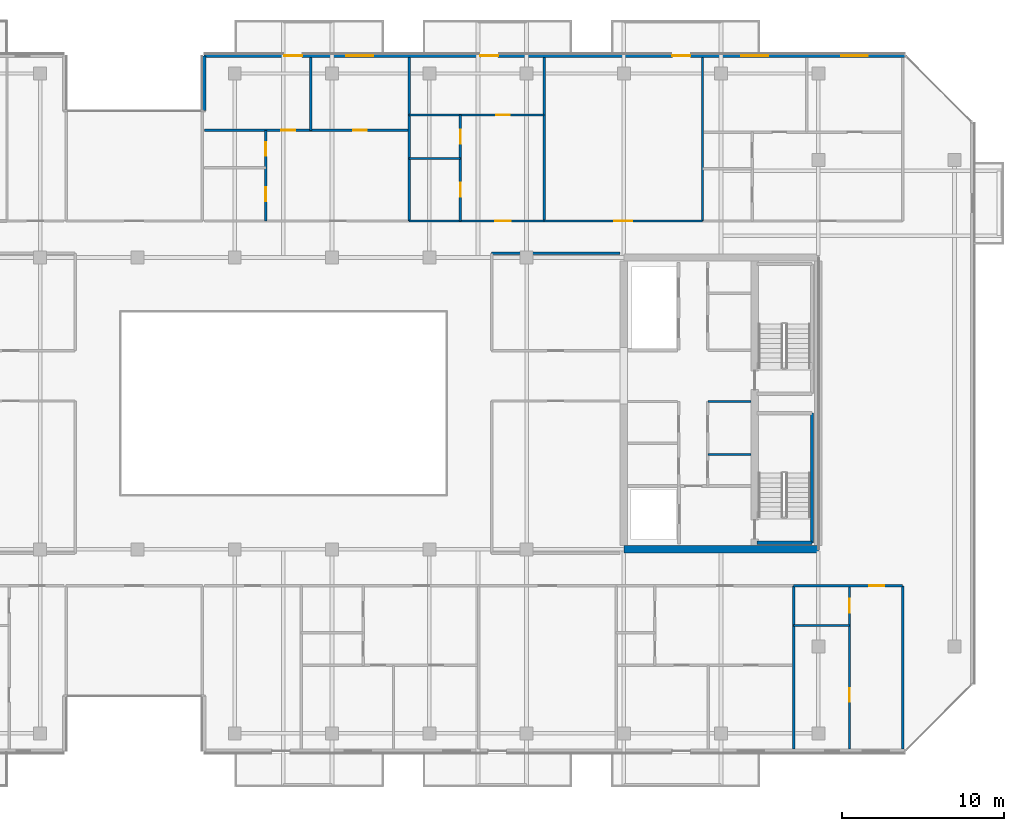
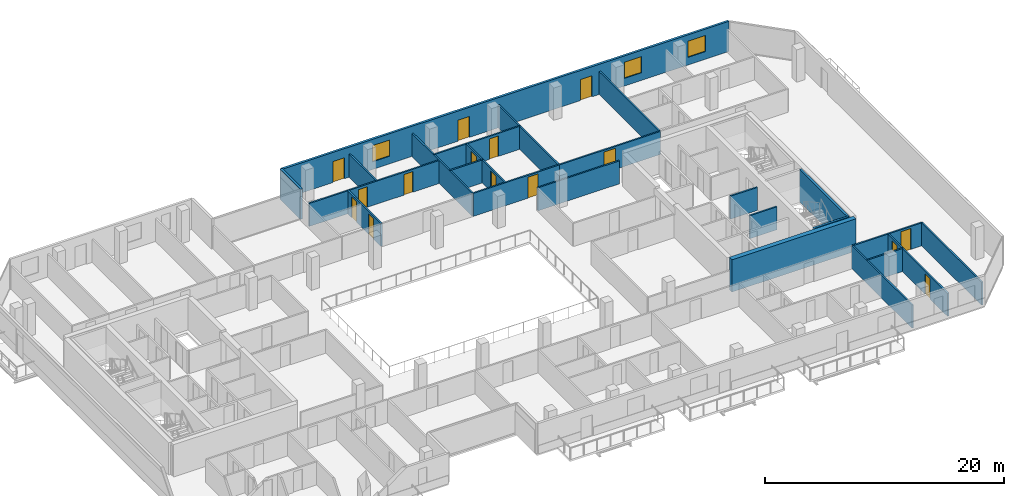
# One storey, part 22 of 28: 24 walls, 15 doors, 3 windows, 18 openings.
"""IFC4 building model written with IfcOpenShell, lengths in metres."""

from ifc_helpers import new_model, si_unit, direction, frame, frame_2d, origin, place, context, subcontext, project, spatial, rectangle, extrude, material, layer, layer_set, type_object, element, fill, save


model = new_model("IFC4")

# Units and contexts
model_context = context("Model", 3, precision=1e-05, world=origin(), true_north=direction((0.0, 1.0)))
body_context = subcontext(model_context, "Body", "Model", "MODEL_VIEW")
ifc_project = project(units=[si_unit("LENGTHUNIT", "METRE"), si_unit("AREAUNIT", "SQUARE_METRE"), si_unit("VOLUMEUNIT", "CUBIC_METRE"), si_unit("PLANEANGLEUNIT", "RADIAN"), si_unit("MASSUNIT", "GRAM", prefix="KILO")], contexts=[model_context])

# Site, building, storey
site_placement = place(None, origin())
site = spatial("IfcSite", under=ifc_project, at=site_placement, CompositionType="ELEMENT")
building_placement = place(site_placement, origin())
building = spatial("IfcBuilding", under=site, at=building_placement, Name="Tanjung Sevakor Pilgrim Tower", CompositionType="ELEMENT")
storey_placement = place(building_placement, frame((0.0, 0.0, 185.1298828125)))
storey = spatial("IfcBuildingStorey", under=building, at=storey_placement, Name="L51", CompositionType="ELEMENT", Elevation=185.1298828125)

# Walls
ifc_material_1 = material(Name="Concrete C60/75", Category="concrete")
ifc_layer_1 = layer(ifc_material_1, 0.449951171875)
ifc_layer_set_1 = layer_set([ifc_layer_1], Name="WALL-CW-450")
wall_type_1 = type_object("IfcWallType", Name="WALL-CW-450", PredefinedType="SHEAR", material=ifc_layer_set_1)
wall_1_placement = place(storey_placement, frame((78.0, 24.60009765625, 0.0), z_axis=(0.0, 0.0, 1.0), x_axis=(1.0, 0.0, 0.0)))
element("IfcWall", 1, at=wall_1_placement, inside=storey, type_object=wall_type_1, Name="L51 E Core South Shear Wall", PredefinedType="SHEAR", context=body_context, shape_type="SweptSolid", body=[
    extrude(rectangle(XDim=12.0, YDim=0.449951171875, at=frame_2d((6.0, 0.0))), origin(), (0.0, 0.0, 1.0), 3.300048828125),
])
ifc_material_2 = material(Name="Concrete C40/50", Category="concrete")
ifc_layer_2 = layer(ifc_material_2, 0.14990234375)
ifc_layer_set_2 = layer_set([ifc_layer_2], Name="WT-COMP-150")
wall_type_2 = type_object("IfcWallType", Name="WT-COMP-150", PredefinedType="SOLIDWALL", material=ifc_layer_set_2)
for number, where, z_axis, x_axis, name in (
    (2, (83.199951171875, 30.449951171875, 0.0), (0.0, 0.0, 1.0), (1.0, 0.0, 0.0), "L51 Partition IW-L51-016"),
    (3, (83.199951171875, 33.719970703125, 0.0), (0.0, 0.0, 1.0), (1.0, 0.0, 0.0), "L51 Partition IW-L51-017"),
):
    element("IfcWall", number, at=place(storey_placement, frame(where, z_axis=z_axis, x_axis=x_axis)), inside=storey, type_object=wall_type_2, Name=name, PredefinedType="SOLIDWALL", context=body_context, shape_type="SweptSolid", body=[
        extrude(rectangle(XDim=2.630126953125, YDim=0.14990234375, at=frame_2d((1.31494140625, 0.0))), origin(), (0.0, 0.0, 1.0), 2.35009765625),
    ])
wall_2_placement = place(storey_placement, frame((69.85009765625, 42.85009765625, 0.0), z_axis=(0.0, 0.0, 1.0), x_axis=(1.0, 0.0, 0.0)))
element("IfcWall", 4, at=wall_2_placement, inside=storey, type_object=wall_type_2, Name="L51 Partition IW-L51-037", PredefinedType="SOLIDWALL", context=body_context, shape_type="SweptSolid", body=[
    extrude(rectangle(XDim=7.90478515625, YDim=0.14990234375, at=frame_2d((3.952392578125, 0.0))), origin(), (0.0, 0.0, 1.0), 2.35009765625),
])
for number, where, z_axis, x_axis, name in (
    (5, (95.199951171875, 12.27001953125, 0.0), (0.0, 0.0, 1.0), (0.0, 1.0, 0.0), "L51 Partition IW-L51-057"),
    (6, (88.4765625, 12.27001953125, 0.0), (0.0, 0.0, 1.0), (0.0, 1.0, 0.0), "L51 Partition IW-L51-068"),
):
    element("IfcWall", number, at=place(storey_placement, frame(where, z_axis=z_axis, x_axis=x_axis)), inside=storey, type_object=wall_type_2, Name=name, PredefinedType="SOLIDWALL", context=body_context, shape_type="SweptSolid", body=[
        extrude(rectangle(XDim=10.080078125, YDim=0.14990234375, at=frame_2d((5.0400390625, 0.0))), origin(), (0.0, 0.0, 1.0), 2.35009765625),
    ])

# Wall, opening, door
wall_3_placement = place(storey_placement, frame((88.4765625, 22.35009765625, 0.0), z_axis=(0.0, 0.0, 1.0), x_axis=(1.0, 0.0, 0.0)))
wall_3 = element("IfcWall", 7, at=wall_3_placement, inside=storey, type_object=wall_type_2, Name="L51 Partition IW-L51-076", PredefinedType="SOLIDWALL", context=body_context, shape_type="SweptSolid", body=[
    extrude(rectangle(XDim=6.723388671875, YDim=0.14990234375, at=frame_2d((3.36181640625, 0.0))), origin(), (0.0, 0.0, 1.0), 2.35009765625),
])
opening_1_placement = place(wall_3_placement, frame((4.6484375, 0.0, 0.0)))
opening_1 = element("IfcOpeningElement", 8, at=opening_1_placement, cuts=wall_3, Name="Opening ID-FD2", PredefinedType="OPENING", context=body_context, shape_type="SweptSolid", body=[
    extrude(rectangle(XDim=0.949951171875, YDim=2.14990234375, at=frame_2d((0.47509765625, 1.074951171875))), frame((0.0, 0.0849609375, 0.0), z_axis=(0.0, -1.0, 0.0), x_axis=(1.0, 0.0, 0.0)), (0.0, 0.0, 1.0), 0.169921875),
])
ifc_material_3 = material(Name="Fire-Rated Timber", Category="wood")
door_type_1 = type_object("IfcDoorType", Name="DT-FIRE-950", OperationType="NOTDEFINED", PredefinedType="DOOR", material=ifc_material_3)
door_1_placement = place(opening_1_placement, origin())
door_1 = element("IfcDoor", 9, at=door_1_placement, inside=storey, type_object=door_type_1, Name="Hostel Quad Entrance", OperationType="SINGLE_SWING_LEFT", OverallHeight=2.14990234375, OverallWidth=0.949951171875, PredefinedType="DOOR", context=body_context, shape_type="SweptSolid", body=[
    extrude(rectangle(XDim=0.949951171875, YDim=2.14990234375, at=frame_2d((0.47509765625, 1.074951171875))), frame((0.0, 0.02490234375, 0.0), z_axis=(0.0, -1.0, 0.0), x_axis=(1.0, 0.0, 0.0)), (0.0, 0.0, 1.0), 0.050048828125),
])
fill(opening_1, door_1)

# Walls
for number, where, z_axis, x_axis, name in (
    (10, (64.7568359375, 44.85009765625, 0.0), (0.0, 0.0, 1.0), (0.0, 1.0, 0.0), "L51 Partition IW-L51-086"),
    (11, (73.085693359375, 44.85009765625, 0.0), (0.0, 0.0, 1.0), (0.0, 1.0, 0.0), "L51 Partition IW-L51-092"),
):
    element("IfcWall", number, at=place(storey_placement, frame(where, z_axis=z_axis, x_axis=x_axis)), inside=storey, type_object=wall_type_2, Name=name, PredefinedType="SOLIDWALL", context=body_context, shape_type="SweptSolid", body=[
        extrude(rectangle(XDim=10.079833984375, YDim=0.14990234375, at=frame_2d((5.0400390625, 0.0))), origin(), (0.0, 0.0, 1.0), 2.35009765625),
    ])

# Wall, opening, door
wall_4_placement = place(storey_placement, frame((64.7568359375, 44.85009765625, 0.0), z_axis=(0.0, 0.0, 1.0), x_axis=(1.0, 0.0, 0.0)))
wall_4 = element("IfcWall", 12, at=wall_4_placement, inside=storey, type_object=wall_type_2, Name="L51 Partition IW-L51-096", PredefinedType="SOLIDWALL", context=body_context, shape_type="SweptSolid", body=[
    extrude(rectangle(XDim=8.328857421875, YDim=0.14990234375, at=frame_2d((4.16455078125, 0.0))), origin(), (0.0, 0.0, 1.0), 2.35009765625),
])
opening_2_placement = place(wall_4_placement, frame((5.31103515625, 0.0, 0.0)))
opening_2 = element("IfcOpeningElement", 13, at=opening_2_placement, cuts=wall_4, Name="Opening ID-FD2", PredefinedType="OPENING", context=body_context, shape_type="SweptSolid", body=[
    extrude(rectangle(XDim=0.949951171875, YDim=2.14990234375, at=frame_2d((0.47509765625, 1.074951171875))), frame((0.0, 0.0849609375, 0.0), z_axis=(0.0, -1.0, 0.0), x_axis=(1.0, 0.0, 0.0)), (0.0, 0.0, 1.0), 0.169921875),
])
door_2_placement = place(opening_2_placement, origin())
door_2 = element("IfcDoor", 14, at=door_2_placement, inside=storey, type_object=door_type_1, Name="Residence Entrance", OperationType="SINGLE_SWING_RIGHT", OverallHeight=2.14990234375, OverallWidth=0.949951171875, PredefinedType="DOOR", context=body_context, shape_type="SweptSolid", body=[
    extrude(rectangle(XDim=0.949951171875, YDim=2.14990234375, at=frame_2d((0.47509765625, 1.074951171875))), frame((0.0, 0.02490234375, 0.0), z_axis=(0.0, -1.0, 0.0), x_axis=(1.0, 0.0, 0.0)), (0.0, 0.0, 1.0), 0.050048828125),
])
fill(opening_2, door_2)

# Wall
wall_5_placement = place(storey_placement, frame((82.850341796875, 44.85009765625, 0.0), z_axis=(0.0, 0.0, 1.0), x_axis=(0.0, 1.0, 0.0)))
element("IfcWall", 15, at=wall_5_placement, inside=storey, type_object=wall_type_2, Name="L51 Partition IW-L51-097", PredefinedType="SOLIDWALL", context=body_context, shape_type="SweptSolid", body=[
    extrude(rectangle(XDim=10.079833984375, YDim=0.14990234375, at=frame_2d((5.0400390625, 0.0))), origin(), (0.0, 0.0, 1.0), 2.35009765625),
])

# Wall, opening, door
wall_6_placement = place(storey_placement, frame((73.085693359375, 44.85009765625, 0.0), z_axis=(0.0, 0.0, 1.0), x_axis=(1.0, 0.0, 0.0)))
wall_6 = element("IfcWall", 16, at=wall_6_placement, inside=storey, type_object=wall_type_2, Name="L51 Partition IW-L51-098", PredefinedType="SOLIDWALL", context=body_context, shape_type="SweptSolid", body=[
    extrude(rectangle(XDim=9.7646484375, YDim=0.14990234375, at=frame_2d((4.88232421875, 0.0))), origin(), (0.0, 0.0, 1.0), 2.35009765625),
])
opening_3_placement = place(wall_6_placement, frame((4.33251953125, 0.0, 0.0)))
opening_3 = element("IfcOpeningElement", 17, at=opening_3_placement, cuts=wall_6, Name="Opening ID-FD0", PredefinedType="OPENING", context=body_context, shape_type="SweptSolid", body=[
    extrude(rectangle(XDim=1.10009765625, YDim=2.14990234375, at=frame_2d((0.550048828125, 1.074951171875))), frame((0.0, 0.0849609375, 0.0), z_axis=(0.0, -1.0, 0.0), x_axis=(1.0, 0.0, 0.0)), (0.0, 0.0, 1.0), 0.169921875),
])
ifc_material_4 = material(Name="Fire-Rated Steel S355J2", Category="steel")
door_type_2 = type_object("IfcDoorType", Name="DT-FIRE-1100", OperationType="NOTDEFINED", PredefinedType="DOOR", material=ifc_material_4)
door_3_placement = place(opening_3_placement, origin())
door_3 = element("IfcDoor", 18, at=door_3_placement, inside=storey, type_object=door_type_2, Name="Council Room Door", OperationType="SINGLE_SWING_LEFT", OverallHeight=2.14990234375, OverallWidth=1.10009765625, PredefinedType="DOOR", context=body_context, shape_type="SweptSolid", body=[
    extrude(rectangle(XDim=1.10009765625, YDim=2.14990234375, at=frame_2d((0.550048828125, 1.074951171875))), frame((0.0, 0.02490234375, 0.0), z_axis=(0.0, -1.0, 0.0), x_axis=(1.0, 0.0, 0.0)), (0.0, 0.0, 1.0), 0.050048828125),
])
fill(opening_3, door_3)

# Wall, openings, doors, windows
ifc_material_5 = material(Name="Precast concrete C45/55", Category="concrete")
ifc_layer_3 = layer(ifc_material_5, 0.219970703125)
ifc_layer_set_3 = layer_set([ifc_layer_3], Name="WT-EW-STN4")
wall_type_3 = type_object("IfcWallType", Name="WT-EW-STN4", PredefinedType="SOLIDWALL", material=ifc_layer_set_3)
wall_7_placement = place(storey_placement, frame((95.3544921875, 55.0400390625, 0.0), z_axis=(0.0, 0.0, 1.0), x_axis=(-1.0, 0.0, 0.0)))
wall_7 = element("IfcWall", 19, at=wall_7_placement, inside=storey, type_object=wall_type_3, Name="L51 MAIN Exterior Wall 9", PredefinedType="SOLIDWALL", context=body_context, shape_type="SweptSolid", body=[
    extrude(rectangle(XDim=43.244384765625, YDim=0.219970703125, at=frame_2d((21.6220703125, 0.0))), origin(), (0.0, 0.0, 1.0), 3.080078125),
])
opening_4_placement = place(wall_7_placement, frame((37.204345703125, 0.0, 0.0)))
opening_4 = element("IfcOpeningElement", 20, at=opening_4_placement, cuts=wall_7, Name="Opening ED-BAL-1100", PredefinedType="OPENING", context=body_context, shape_type="SweptSolid", body=[
    extrude(rectangle(XDim=1.10009765625, YDim=2.14990234375, at=frame_2d((0.550048828125, 1.074951171875))), frame((0.0, 0.119873046875, 0.0), z_axis=(0.0, -1.0, 0.0), x_axis=(1.0, 0.0, 0.0)), (0.0, 0.0, 1.0), 0.239990234375),
])
opening_5_placement = place(wall_7_placement, frame((25.1044921875, 0.0, 0.0)))
opening_5 = element("IfcOpeningElement", 21, at=opening_5_placement, cuts=wall_7, Name="Opening ED-BAL-1100", PredefinedType="OPENING", context=body_context, shape_type="SweptSolid", body=[
    extrude(rectangle(XDim=1.10009765625, YDim=2.14990234375, at=frame_2d((0.550048828125, 1.074951171875))), frame((0.0, 0.119873046875, 0.0), z_axis=(0.0, -1.0, 0.0), x_axis=(1.0, 0.0, 0.0)), (0.0, 0.0, 1.0), 0.239990234375),
])
opening_6_placement = place(wall_7_placement, frame((13.25439453125, 0.0, 0.0)))
opening_6 = element("IfcOpeningElement", 22, at=opening_6_placement, cuts=wall_7, Name="Opening ED-BAL-1100", PredefinedType="OPENING", context=body_context, shape_type="SweptSolid", body=[
    extrude(rectangle(XDim=1.10009765625, YDim=2.14990234375, at=frame_2d((0.550048828125, 1.074951171875))), frame((0.0, 0.119873046875, 0.0), z_axis=(0.0, -1.0, 0.0), x_axis=(1.0, 0.0, 0.0)), (0.0, 0.0, 1.0), 0.239990234375),
])
opening_7_placement = place(wall_7_placement, frame((32.8154296875, 0.0, 0.780029296875)))
opening_7 = element("IfcOpeningElement", 23, at=opening_7_placement, cuts=wall_7, Name="Opening WN-Z4-1660", PredefinedType="OPENING", context=body_context, shape_type="SweptSolid", body=[
    extrude(rectangle(XDim=1.64990234375, YDim=1.659912109375, at=frame_2d((0.824951171875, 0.830078125))), frame((0.0, 0.119873046875, 0.0), z_axis=(0.0, -1.0, 0.0), x_axis=(1.0, 0.0, 0.0)), (0.0, 0.0, 1.0), 0.239990234375),
])
opening_8_placement = place(wall_7_placement, frame((8.4580078125, 0.0, 0.780029296875)))
opening_8 = element("IfcOpeningElement", 24, at=opening_8_placement, cuts=wall_7, Name="Opening WN-Z4-1660", PredefinedType="OPENING", context=body_context, shape_type="SweptSolid", body=[
    extrude(rectangle(XDim=1.64990234375, YDim=1.659912109375, at=frame_2d((0.824951171875, 0.830078125))), frame((0.0, 0.119873046875, 0.0), z_axis=(0.0, -1.0, 0.0), x_axis=(1.0, 0.0, 0.0)), (0.0, 0.0, 1.0), 0.239990234375),
])
opening_9_placement = place(wall_7_placement, frame((2.30322265625, 0.0, 0.780029296875)))
opening_9 = element("IfcOpeningElement", 25, at=opening_9_placement, cuts=wall_7, Name="Opening WN-Z4-1660", PredefinedType="OPENING", context=body_context, shape_type="SweptSolid", body=[
    extrude(rectangle(XDim=1.64990234375, YDim=1.659912109375, at=frame_2d((0.824951171875, 0.830078125))), frame((0.0, 0.119873046875, 0.0), z_axis=(0.0, -1.0, 0.0), x_axis=(1.0, 0.0, 0.0)), (0.0, 0.0, 1.0), 0.239990234375),
])
ifc_material_6 = material(Name="Anodised Aluminium and Laminated Glass", Category="aluminium")
door_type_3 = type_object("IfcDoorType", Name="DTYP-ED-BAL-1100", OperationType="NOTDEFINED", PredefinedType="DOOR", material=ifc_material_6)
door_4_placement = place(opening_4_placement, frame((1.10009765625, 0.0, 0.0), z_axis=(0.0, 0.0, 1.0), x_axis=(-1.0, 0.0, 0.0)))
door_4 = element("IfcDoor", 26, at=door_4_placement, inside=storey, type_object=door_type_3, Name="L51 Balcony Door MAIN-N2", OperationType="SINGLE_SWING_RIGHT", OverallHeight=2.14990234375, OverallWidth=1.10009765625, PredefinedType="DOOR", context=body_context, shape_type="SweptSolid", body=[
    extrude(rectangle(XDim=1.10009765625, YDim=2.14990234375, at=frame_2d((0.550048828125, 1.074951171875))), frame((0.0, 0.02490234375, 0.0), z_axis=(0.0, -1.0, 0.0), x_axis=(1.0, 0.0, 0.0)), (0.0, 0.0, 1.0), 0.050048828125),
])
fill(opening_4, door_4)
door_5_placement = place(opening_5_placement, frame((1.10009765625, 0.0, 0.0), z_axis=(0.0, 0.0, 1.0), x_axis=(-1.0, 0.0, 0.0)))
door_5 = element("IfcDoor", 27, at=door_5_placement, inside=storey, type_object=door_type_3, Name="L51 Balcony Door MAIN-N3", OperationType="SINGLE_SWING_LEFT", OverallHeight=2.14990234375, OverallWidth=1.10009765625, PredefinedType="DOOR", context=body_context, shape_type="SweptSolid", body=[
    extrude(rectangle(XDim=1.10009765625, YDim=2.14990234375, at=frame_2d((0.550048828125, 1.074951171875))), frame((0.0, 0.02490234375, 0.0), z_axis=(0.0, -1.0, 0.0), x_axis=(1.0, 0.0, 0.0)), (0.0, 0.0, 1.0), 0.050048828125),
])
fill(opening_5, door_5)
door_6_placement = place(opening_6_placement, frame((1.10009765625, 0.0, 0.0), z_axis=(0.0, 0.0, 1.0), x_axis=(-1.0, 0.0, 0.0)))
door_6 = element("IfcDoor", 28, at=door_6_placement, inside=storey, type_object=door_type_3, Name="L51 Balcony Door MAIN-N4", OperationType="SINGLE_SWING_RIGHT", OverallHeight=2.14990234375, OverallWidth=1.10009765625, PredefinedType="DOOR", context=body_context, shape_type="SweptSolid", body=[
    extrude(rectangle(XDim=1.10009765625, YDim=2.14990234375, at=frame_2d((0.550048828125, 1.074951171875))), frame((0.0, 0.02490234375, 0.0), z_axis=(0.0, -1.0, 0.0), x_axis=(1.0, 0.0, 0.0)), (0.0, 0.0, 1.0), 0.050048828125),
])
fill(opening_6, door_6)
ifc_material_7 = material(Name="Thermally Broken Aluminium and Low-E Glass", Category="aluminium")
window_type = type_object("IfcWindowType", Name="WTYP-WN-Z4-1660", PartitioningType="DOUBLE_PANEL_VERTICAL", PredefinedType="WINDOW", material=ifc_material_7)
window_1_placement = place(opening_7_placement, origin())
window_1 = element("IfcWindow", 29, at=window_1_placement, inside=storey, type_object=window_type, Name="L51 Facade Window 01", OverallHeight=1.659912109375, OverallWidth=1.64990234375, PartitioningType="SINGLE_PANEL", PredefinedType="WINDOW", context=body_context, shape_type="SweptSolid", body=[
    extrude(rectangle(XDim=1.64990234375, YDim=1.659912109375, at=frame_2d((0.824951171875, 0.830078125))), frame((0.0, 0.030029296875, 0.0), z_axis=(0.0, -1.0, 0.0), x_axis=(1.0, 0.0, 0.0)), (0.0, 0.0, 1.0), 0.06005859375),
])
fill(opening_7, window_1)
window_2_placement = place(opening_8_placement, origin())
window_2 = element("IfcWindow", 30, at=window_2_placement, inside=storey, type_object=window_type, Name="L51 Facade Window 02", OverallHeight=1.659912109375, OverallWidth=1.64990234375, PartitioningType="SINGLE_PANEL", PredefinedType="WINDOW", context=body_context, shape_type="SweptSolid", body=[
    extrude(rectangle(XDim=1.64990234375, YDim=1.659912109375, at=frame_2d((0.824951171875, 0.830078125))), frame((0.0, 0.030029296875, 0.0), z_axis=(0.0, -1.0, 0.0), x_axis=(1.0, 0.0, 0.0)), (0.0, 0.0, 1.0), 0.06005859375),
])
fill(opening_8, window_2)
window_3_placement = place(opening_9_placement, origin())
window_3 = element("IfcWindow", 31, at=window_3_placement, inside=storey, type_object=window_type, Name="L51 Facade Window 03", OverallHeight=1.659912109375, OverallWidth=1.64990234375, PartitioningType="SINGLE_PANEL", PredefinedType="WINDOW", context=body_context, shape_type="SweptSolid", body=[
    extrude(rectangle(XDim=1.64990234375, YDim=1.659912109375, at=frame_2d((0.824951171875, 0.830078125))), frame((0.0, 0.030029296875, 0.0), z_axis=(0.0, -1.0, 0.0), x_axis=(1.0, 0.0, 0.0)), (0.0, 0.0, 1.0), 0.06005859375),
])
fill(opening_9, window_3)

# Walls
wall_8_placement = place(storey_placement, frame((52.110107421875, 55.0400390625, 0.0), z_axis=(0.0, 0.0, 1.0), x_axis=(0.0, -1.0, 0.0)))
element("IfcWall", 32, at=wall_8_placement, inside=storey, type_object=wall_type_3, Name="L51 MAIN Exterior Wall 10", PredefinedType="SOLIDWALL", context=body_context, shape_type="SweptSolid", body=[
    extrude(rectangle(XDim=3.400146484375, YDim=0.219970703125, at=frame_2d((1.7001953125, 0.0))), origin(), (0.0, 0.0, 1.0), 3.080078125),
])
ifc_material_8 = material(Name="Concrete C40/50", Category="concrete")
ifc_layer_4 = layer(ifc_material_8, 0.199951171875)
ifc_layer_set_4 = layer_set([ifc_layer_4], Name="WT-FIRE-200")
wall_type_4 = type_object("IfcWallType", Name="WT-FIRE-200", PredefinedType="SOLIDWALL", material=ifc_layer_set_4)
wall_9_placement = place(storey_placement, frame((86.199951171875, 25.0, 0.0), z_axis=(0.0, 0.0, 1.0), x_axis=(1.0, 0.0, 0.0)))
element("IfcWall", 33, at=wall_9_placement, inside=storey, type_object=wall_type_4, Name="L51 TS-E1 Shaft Wall 1", PredefinedType="SOLIDWALL", context=body_context, shape_type="SweptSolid", body=[
    extrude(rectangle(XDim=3.400146484375, YDim=0.199951171875, at=frame_2d((1.7001953125, 0.0))), origin(), (0.0, 0.0, 1.0), 3.300048828125),
])
wall_10_placement = place(storey_placement, frame((89.60009765625, 25.0, 0.0), z_axis=(0.0, 0.0, 1.0), x_axis=(0.0, 1.0, 0.0)))
element("IfcWall", 34, at=wall_10_placement, inside=storey, type_object=wall_type_4, Name="L51 TS-E1 Shaft Wall 2", PredefinedType="SOLIDWALL", context=body_context, shape_type="SweptSolid", body=[
    extrude(rectangle(XDim=8.0, YDim=0.199951171875, at=frame_2d((4.0, 0.0))), origin(), (0.0, 0.0, 1.0), 3.300048828125),
])
ifc_material_9 = material(Name="Gypsum Board Partition", Category="gypsum board")
ifc_layer_5 = layer(ifc_material_9, 0.14990234375)
ifc_layer_set_5 = layer_set([ifc_layer_5], Name="WT-PART-150")
wall_type_5 = type_object("IfcWallType", Name="WT-PART-150", PredefinedType="PARTITIONING", material=ifc_layer_set_5)
wall_11_placement = place(storey_placement, frame((88.4765625, 19.89990234375, 0.0), z_axis=(0.0, 0.0, 1.0), x_axis=(1.0, 0.0, 0.0)))
element("IfcWall", 35, at=wall_11_placement, inside=storey, type_object=wall_type_5, Name="L51 Partition IW-L51-074", PredefinedType="PARTITIONING", context=body_context, shape_type="SweptSolid", body=[
    extrude(rectangle(XDim=3.443359375, YDim=0.14990234375, at=frame_2d((1.7216796875, 0.0))), origin(), (0.0, 0.0, 1.0), 2.35009765625),
])

# Wall, openings, doors
wall_12_placement = place(storey_placement, frame((91.919921875, 12.27001953125, 0.0), z_axis=(0.0, 0.0, 1.0), x_axis=(0.0, 1.0, 0.0)))
wall_12 = element("IfcWall", 36, at=wall_12_placement, inside=storey, type_object=wall_type_5, Name="L51 Partition IW-L51-075", PredefinedType="PARTITIONING", context=body_context, shape_type="SweptSolid", body=[
    extrude(rectangle(XDim=10.080078125, YDim=0.14990234375, at=frame_2d((5.0400390625, 0.0))), origin(), (0.0, 0.0, 1.0), 2.35009765625),
])
opening_10_placement = place(wall_12_placement, frame((2.912109375, 0.0, 0.0)))
opening_10 = element("IfcOpeningElement", 37, at=opening_10_placement, cuts=wall_12, Name="Opening ID-WC1", PredefinedType="OPENING", context=body_context, shape_type="SweptSolid", body=[
    extrude(rectangle(XDim=0.85009765625, YDim=2.10009765625, at=frame_2d((0.425048828125, 1.050048828125))), frame((0.0, 0.0849609375, 0.0), z_axis=(0.0, -1.0, 0.0), x_axis=(1.0, 0.0, 0.0)), (0.0, 0.0, 1.0), 0.169921875),
])
opening_11_placement = place(wall_12_placement, frame((8.429931640625, 0.0, 0.0)))
opening_11 = element("IfcOpeningElement", 38, at=opening_11_placement, cuts=wall_12, Name="Opening ID-WC1", PredefinedType="OPENING", context=body_context, shape_type="SweptSolid", body=[
    extrude(rectangle(XDim=0.85009765625, YDim=2.10009765625, at=frame_2d((0.425048828125, 1.050048828125))), frame((0.0, 0.0849609375, 0.0), z_axis=(0.0, -1.0, 0.0), x_axis=(1.0, 0.0, 0.0)), (0.0, 0.0, 1.0), 0.169921875),
])
ifc_material_10 = material(Name="Moisture-Resistant Timber", Category="wood")
door_type_4 = type_object("IfcDoorType", Name="DT-INT-850", OperationType="NOTDEFINED", PredefinedType="DOOR", material=ifc_material_10)
door_7_placement = place(opening_10_placement, origin())
door_7 = element("IfcDoor", 39, at=door_7_placement, inside=storey, type_object=door_type_4, Name="Study Nook Door", OperationType="SINGLE_SWING_LEFT", OverallHeight=2.10009765625, OverallWidth=0.85009765625, PredefinedType="DOOR", context=body_context, shape_type="SweptSolid", body=[
    extrude(rectangle(XDim=0.85009765625, YDim=2.10009765625, at=frame_2d((0.425048828125, 1.050048828125))), frame((0.0, 0.02490234375, 0.0), z_axis=(0.0, -1.0, 0.0), x_axis=(1.0, 0.0, 0.0)), (0.0, 0.0, 1.0), 0.050048828125),
])
fill(opening_10, door_7)
door_8_placement = place(opening_11_placement, origin())
door_8 = element("IfcDoor", 40, at=door_8_placement, inside=storey, type_object=door_type_4, Name="Bathroom Door", OperationType="SINGLE_SWING_RIGHT", OverallHeight=2.10009765625, OverallWidth=0.85009765625, PredefinedType="DOOR", context=body_context, shape_type="SweptSolid", body=[
    extrude(rectangle(XDim=0.85009765625, YDim=2.10009765625, at=frame_2d((0.425048828125, 1.050048828125))), frame((0.0, 0.02490234375, 0.0), z_axis=(0.0, -1.0, 0.0), x_axis=(1.0, 0.0, 0.0)), (0.0, 0.0, 1.0), 0.050048828125),
])
fill(opening_11, door_8)

wall_13_placement = place(storey_placement, frame((55.919921875, 44.85009765625, 0.0), z_axis=(0.0, 0.0, 1.0), x_axis=(0.0, 1.0, 0.0)))
wall_13 = element("IfcWall", 41, at=wall_13_placement, inside=storey, type_object=wall_type_5, Name="L51 Partition IW-L51-088", PredefinedType="PARTITIONING", context=body_context, shape_type="SweptSolid", body=[
    extrude(rectangle(XDim=5.590576171875, YDim=0.14990234375, at=frame_2d((2.79541015625, 0.0))), origin(), (0.0, 0.0, 1.0), 2.35009765625),
])
opening_12_placement = place(wall_13_placement, frame((1.22412109375, 0.0, 0.0)))
opening_12 = element("IfcOpeningElement", 42, at=opening_12_placement, cuts=wall_13, Name="Opening ID-WC1", PredefinedType="OPENING", context=body_context, shape_type="SweptSolid", body=[
    extrude(rectangle(XDim=0.85009765625, YDim=2.10009765625, at=frame_2d((0.425048828125, 1.050048828125))), frame((0.0, 0.0849609375, 0.0), z_axis=(0.0, -1.0, 0.0), x_axis=(1.0, 0.0, 0.0)), (0.0, 0.0, 1.0), 0.169921875),
])
opening_13_placement = place(wall_13_placement, frame((4.01953125, 0.0, 0.0)))
opening_13 = element("IfcOpeningElement", 43, at=opening_13_placement, cuts=wall_13, Name="Opening ID-WC1", PredefinedType="OPENING", context=body_context, shape_type="SweptSolid", body=[
    extrude(rectangle(XDim=0.85009765625, YDim=2.10009765625, at=frame_2d((0.425048828125, 1.050048828125))), frame((0.0, 0.0849609375, 0.0), z_axis=(0.0, -1.0, 0.0), x_axis=(1.0, 0.0, 0.0)), (0.0, 0.0, 1.0), 0.169921875),
])
door_9_placement = place(opening_12_placement, origin())
door_9 = element("IfcDoor", 44, at=door_9_placement, inside=storey, type_object=door_type_4, Name="Suite Kitchenette Door", OperationType="SINGLE_SWING_RIGHT", OverallHeight=2.10009765625, OverallWidth=0.85009765625, PredefinedType="DOOR", context=body_context, shape_type="SweptSolid", body=[
    extrude(rectangle(XDim=0.85009765625, YDim=2.10009765625, at=frame_2d((0.425048828125, 1.050048828125))), frame((0.0, 0.02490234375, 0.0), z_axis=(0.0, -1.0, 0.0), x_axis=(1.0, 0.0, 0.0)), (0.0, 0.0, 1.0), 0.050048828125),
])
fill(opening_12, door_9)
door_10_placement = place(opening_13_placement, origin())
door_10 = element("IfcDoor", 45, at=door_10_placement, inside=storey, type_object=door_type_4, Name="Suite Bathroom Door", OperationType="SINGLE_SWING_LEFT", OverallHeight=2.10009765625, OverallWidth=0.85009765625, PredefinedType="DOOR", context=body_context, shape_type="SweptSolid", body=[
    extrude(rectangle(XDim=0.85009765625, YDim=2.10009765625, at=frame_2d((0.425048828125, 1.050048828125))), frame((0.0, 0.02490234375, 0.0), z_axis=(0.0, -1.0, 0.0), x_axis=(1.0, 0.0, 0.0)), (0.0, 0.0, 1.0), 0.050048828125),
])
fill(opening_13, door_10)

# Wall
wall_14_placement = place(storey_placement, frame((58.691162109375, 50.440673828125, 0.0), z_axis=(0.0, 0.0, 1.0), x_axis=(0.0, 1.0, 0.0)))
element("IfcWall", 46, at=wall_14_placement, inside=storey, type_object=wall_type_5, Name="L51 Partition IW-L51-089", PredefinedType="PARTITIONING", context=body_context, shape_type="SweptSolid", body=[
    extrude(rectangle(XDim=4.4892578125, YDim=0.14990234375, at=frame_2d((2.24462890625, 0.0))), origin(), (0.0, 0.0, 1.0), 2.35009765625),
])

# Wall, openings, doors
wall_15_placement = place(storey_placement, frame((52.1201171875, 50.440673828125, 0.0), z_axis=(0.0, 0.0, 1.0), x_axis=(1.0, 0.0, 0.0)))
wall_15 = element("IfcWall", 47, at=wall_15_placement, inside=storey, type_object=wall_type_5, Name="L51 Partition IW-L51-090", PredefinedType="PARTITIONING", context=body_context, shape_type="SweptSolid", body=[
    extrude(rectangle(XDim=12.63671875, YDim=0.14990234375, at=frame_2d((6.318359375, 0.0))), origin(), (0.0, 0.0, 1.0), 2.35009765625),
])
opening_14_placement = place(wall_15_placement, frame((4.760498046875, 0.0, 0.0)))
opening_14 = element("IfcOpeningElement", 48, at=opening_14_placement, cuts=wall_15, Name="Opening ID-WC1", PredefinedType="OPENING", context=body_context, shape_type="SweptSolid", body=[
    extrude(rectangle(XDim=0.85009765625, YDim=2.10009765625, at=frame_2d((0.425048828125, 1.050048828125))), frame((0.0, 0.0849609375, 0.0), z_axis=(0.0, -1.0, 0.0), x_axis=(1.0, 0.0, 0.0)), (0.0, 0.0, 1.0), 0.169921875),
])
opening_15_placement = place(wall_15_placement, frame((9.178955078125, 0.0, 0.0)))
opening_15 = element("IfcOpeningElement", 49, at=opening_15_placement, cuts=wall_15, Name="Opening ID-WC1", PredefinedType="OPENING", context=body_context, shape_type="SweptSolid", body=[
    extrude(rectangle(XDim=0.85009765625, YDim=2.10009765625, at=frame_2d((0.425048828125, 1.050048828125))), frame((0.0, 0.0849609375, 0.0), z_axis=(0.0, -1.0, 0.0), x_axis=(1.0, 0.0, 0.0)), (0.0, 0.0, 1.0), 0.169921875),
])
door_11_placement = place(opening_14_placement, origin())
door_11 = element("IfcDoor", 50, at=door_11_placement, inside=storey, type_object=door_type_4, Name="Suite Bedroom 1 Door", OperationType="SINGLE_SWING_RIGHT", OverallHeight=2.10009765625, OverallWidth=0.85009765625, PredefinedType="DOOR", context=body_context, shape_type="SweptSolid", body=[
    extrude(rectangle(XDim=0.85009765625, YDim=2.10009765625, at=frame_2d((0.425048828125, 1.050048828125))), frame((0.0, 0.02490234375, 0.0), z_axis=(0.0, -1.0, 0.0), x_axis=(1.0, 0.0, 0.0)), (0.0, 0.0, 1.0), 0.050048828125),
])
fill(opening_14, door_11)
door_12_placement = place(opening_15_placement, origin())
door_12 = element("IfcDoor", 51, at=door_12_placement, inside=storey, type_object=door_type_4, Name="Suite Bedroom 2 Door", OperationType="SINGLE_SWING_LEFT", OverallHeight=2.10009765625, OverallWidth=0.85009765625, PredefinedType="DOOR", context=body_context, shape_type="SweptSolid", body=[
    extrude(rectangle(XDim=0.85009765625, YDim=2.10009765625, at=frame_2d((0.425048828125, 1.050048828125))), frame((0.0, 0.02490234375, 0.0), z_axis=(0.0, -1.0, 0.0), x_axis=(1.0, 0.0, 0.0)), (0.0, 0.0, 1.0), 0.050048828125),
])
fill(opening_15, door_12)

# Wall
wall_16_placement = place(storey_placement, frame((64.7568359375, 48.70751953125, 0.0), z_axis=(0.0, 0.0, 1.0), x_axis=(1.0, 0.0, 0.0)))
element("IfcWall", 52, at=wall_16_placement, inside=storey, type_object=wall_type_5, Name="L51 Partition IW-L51-093", PredefinedType="PARTITIONING", context=body_context, shape_type="SweptSolid", body=[
    extrude(rectangle(XDim=3.1630859375, YDim=0.14990234375, at=frame_2d((1.58154296875, 0.0))), origin(), (0.0, 0.0, 1.0), 2.35009765625),
])

# Wall, openings, doors
wall_17_placement = place(storey_placement, frame((67.919921875, 44.85009765625, 0.0), z_axis=(0.0, 0.0, 1.0), x_axis=(0.0, 1.0, 0.0)))
wall_17 = element("IfcWall", 53, at=wall_17_placement, inside=storey, type_object=wall_type_5, Name="L51 Partition IW-L51-094", PredefinedType="PARTITIONING", context=body_context, shape_type="SweptSolid", body=[
    extrude(rectangle(XDim=6.5380859375, YDim=0.14990234375, at=frame_2d((3.26904296875, 0.0))), origin(), (0.0, 0.0, 1.0), 2.35009765625),
])
opening_16_placement = place(wall_17_placement, frame((1.50390625, 0.0, 0.0)))
opening_16 = element("IfcOpeningElement", 54, at=opening_16_placement, cuts=wall_17, Name="Opening ID-WC1", PredefinedType="OPENING", context=body_context, shape_type="SweptSolid", body=[
    extrude(rectangle(XDim=0.85009765625, YDim=2.10009765625, at=frame_2d((0.425048828125, 1.050048828125))), frame((0.0, 0.0849609375, 0.0), z_axis=(0.0, -1.0, 0.0), x_axis=(1.0, 0.0, 0.0)), (0.0, 0.0, 1.0), 0.169921875),
])
opening_17_placement = place(wall_17_placement, frame((4.772705078125, 0.0, 0.0)))
opening_17 = element("IfcOpeningElement", 55, at=opening_17_placement, cuts=wall_17, Name="Opening ID-WC1", PredefinedType="OPENING", context=body_context, shape_type="SweptSolid", body=[
    extrude(rectangle(XDim=0.85009765625, YDim=2.10009765625, at=frame_2d((0.425048828125, 1.050048828125))), frame((0.0, 0.0849609375, 0.0), z_axis=(0.0, -1.0, 0.0), x_axis=(1.0, 0.0, 0.0)), (0.0, 0.0, 1.0), 0.169921875),
])
door_13_placement = place(opening_16_placement, origin())
door_13 = element("IfcDoor", 56, at=door_13_placement, inside=storey, type_object=door_type_4, Name="Residence Kitchenette Door", OperationType="SINGLE_SWING_LEFT", OverallHeight=2.10009765625, OverallWidth=0.85009765625, PredefinedType="DOOR", context=body_context, shape_type="SweptSolid", body=[
    extrude(rectangle(XDim=0.85009765625, YDim=2.10009765625, at=frame_2d((0.425048828125, 1.050048828125))), frame((0.0, 0.02490234375, 0.0), z_axis=(0.0, -1.0, 0.0), x_axis=(1.0, 0.0, 0.0)), (0.0, 0.0, 1.0), 0.050048828125),
])
fill(opening_16, door_13)
door_14_placement = place(opening_17_placement, origin())
door_14 = element("IfcDoor", 57, at=door_14_placement, inside=storey, type_object=door_type_4, Name="Residence Bathroom Door", OperationType="SINGLE_SWING_RIGHT", OverallHeight=2.10009765625, OverallWidth=0.85009765625, PredefinedType="DOOR", context=body_context, shape_type="SweptSolid", body=[
    extrude(rectangle(XDim=0.85009765625, YDim=2.10009765625, at=frame_2d((0.425048828125, 1.050048828125))), frame((0.0, 0.02490234375, 0.0), z_axis=(0.0, -1.0, 0.0), x_axis=(1.0, 0.0, 0.0)), (0.0, 0.0, 1.0), 0.050048828125),
])
fill(opening_17, door_14)

# Wall, opening, door
wall_18_placement = place(storey_placement, frame((64.7568359375, 51.38818359375, 0.0), z_axis=(0.0, 0.0, 1.0), x_axis=(1.0, 0.0, 0.0)))
wall_18 = element("IfcWall", 58, at=wall_18_placement, inside=storey, type_object=wall_type_5, Name="L51 Partition IW-L51-095", PredefinedType="PARTITIONING", context=body_context, shape_type="SweptSolid", body=[
    extrude(rectangle(XDim=8.328857421875, YDim=0.14990234375, at=frame_2d((4.16455078125, 0.0))), origin(), (0.0, 0.0, 1.0), 2.35009765625),
])
opening_18_placement = place(wall_18_placement, frame((5.361083984375, 0.0, 0.0)))
opening_18 = element("IfcOpeningElement", 59, at=opening_18_placement, cuts=wall_18, Name="Opening ID-WC1", PredefinedType="OPENING", context=body_context, shape_type="SweptSolid", body=[
    extrude(rectangle(XDim=0.85009765625, YDim=2.10009765625, at=frame_2d((0.425048828125, 1.050048828125))), frame((0.0, 0.0849609375, 0.0), z_axis=(0.0, -1.0, 0.0), x_axis=(1.0, 0.0, 0.0)), (0.0, 0.0, 1.0), 0.169921875),
])
door_15_placement = place(opening_18_placement, origin())
door_15 = element("IfcDoor", 60, at=door_15_placement, inside=storey, type_object=door_type_4, Name="Residence Bedroom Door", OperationType="SINGLE_SWING_LEFT", OverallHeight=2.10009765625, OverallWidth=0.85009765625, PredefinedType="DOOR", context=body_context, shape_type="SweptSolid", body=[
    extrude(rectangle(XDim=0.85009765625, YDim=2.10009765625, at=frame_2d((0.425048828125, 1.050048828125))), frame((0.0, 0.02490234375, 0.0), z_axis=(0.0, -1.0, 0.0), x_axis=(1.0, 0.0, 0.0)), (0.0, 0.0, 1.0), 0.050048828125),
])
fill(opening_18, door_15)

save(model, "model.ifc")
